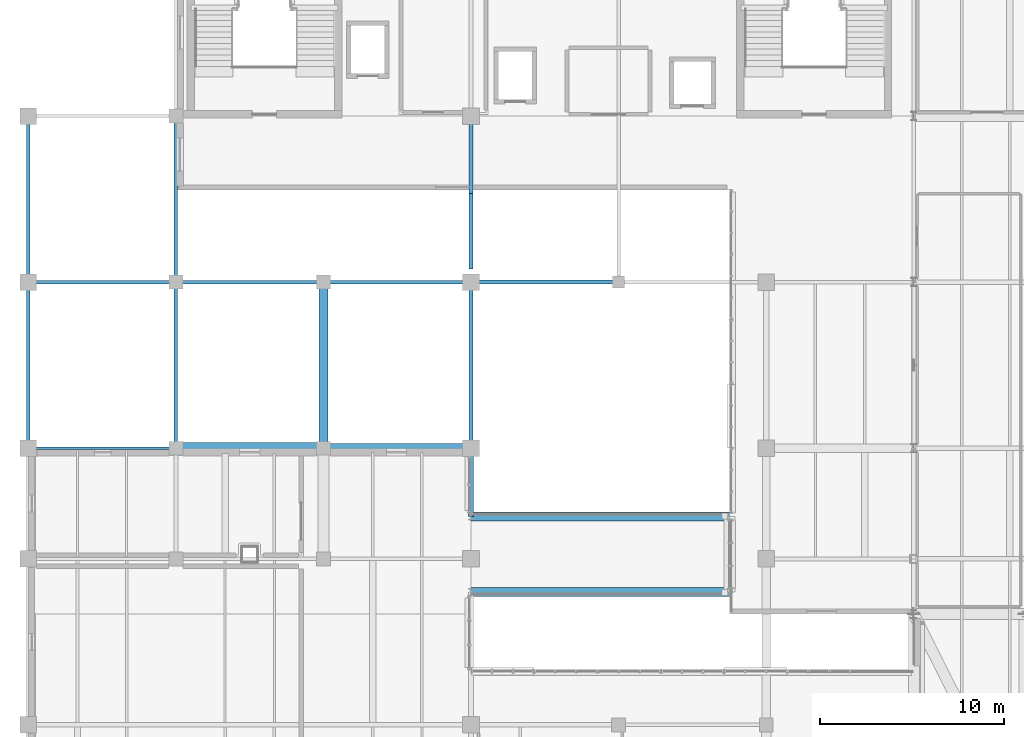
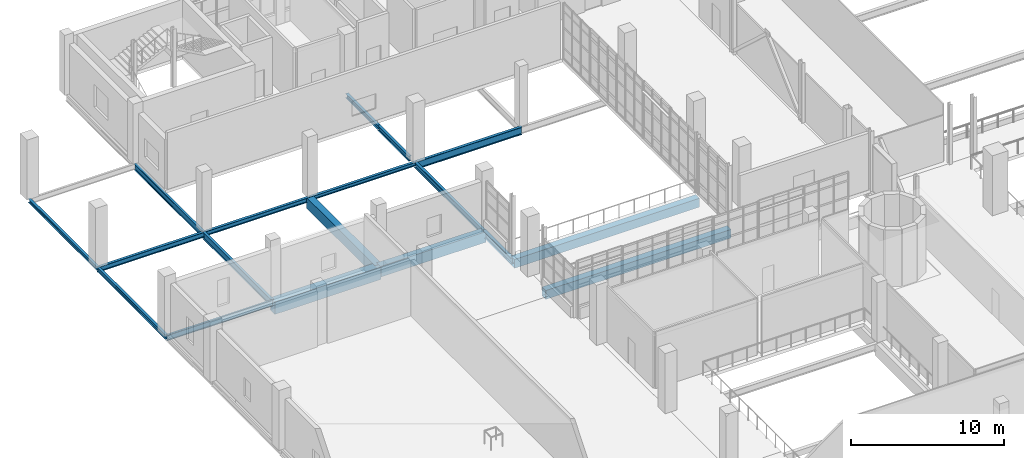
# One storey, part 24 of 100: 18 beams.
"""IFC4 building model written with IfcOpenShell, lengths in metres."""

from ifc_helpers import new_model, si_unit, derived_unit, direction, frame, origin, origin_2d, place, context, subcontext, project, spatial, rectangle, hollow_rectangle, i_section, extrude, material, material_profile, profile_set, type_object, element, save


model = new_model("IFC4")

# Units and contexts
model_context = context("Model", 3, precision=1e-05, world=origin(), true_north=direction((0.0, 1.0)))
body_context = subcontext(model_context, "Body", "Model", "MODEL_VIEW")
ifc_project = project(units=[si_unit("LENGTHUNIT", "METRE"), si_unit("AREAUNIT", "SQUARE_METRE"), si_unit("VOLUMEUNIT", "CUBIC_METRE"), si_unit("PLANEANGLEUNIT", "RADIAN"), si_unit("MASSUNIT", "GRAM", prefix="KILO"), derived_unit("THERMALTRANSMITTANCEUNIT", [(si_unit("POWERUNIT", "WATT"), 1), (si_unit("LENGTHUNIT", "METRE"), -2), (si_unit("THERMODYNAMICTEMPERATUREUNIT", "KELVIN"), -1)])], contexts=[model_context])

# Site, building, storey
site_placement = place(None, origin())
site = spatial("IfcSite", under=ifc_project, at=site_placement, CompositionType="ELEMENT")
building_placement = place(site_placement, origin())
building = spatial("IfcBuilding", under=site, at=building_placement, Name="Nallur Shell Playhouse", CompositionType="ELEMENT")
storey_placement = place(building_placement, frame((0.0, 0.0, 10.199951171875)))
storey = spatial("IfcBuildingStorey", under=building, at=storey_placement, Name="L03", CompositionType="ELEMENT", Elevation=10.199951171875)

# Beams
ifc_material_1 = material(Name="Steel E350", Category="steel")
ifc_material_profile_1 = material_profile(ifc_material_1, hollow_rectangle(XDim=0.5, YDim=0.699951171875, WallThickness=0.02197265625, at=origin_2d()), Name="BOX 500x700x22")
ifc_profile_set_1 = profile_set([ifc_material_profile_1], Name="Steel E350")
beam_type_1 = type_object("IfcBeamType", Name="BM-BRIDGE-BOX", PredefinedType="BEAM", material=ifc_profile_set_1)
for number, where, z_axis, x_axis, name in (
    (1, (40.0, 48.199951171875, -0.60986328125), (1.0, 0.0, 0.0), (0.0, 1.0, 0.0), "Courtyard bridge box girder 05"),
    (2, (40.0, 52.300048828125, -0.60986328125), (1.0, 0.0, 0.0), (0.0, 1.0, 0.0), "Courtyard bridge box girder 06"),
):
    element("IfcBeam", number, at=place(storey_placement, frame(where, z_axis=z_axis, x_axis=x_axis)), inside=storey, type_object=beam_type_1, Name=name, PredefinedType="BEAM", context=body_context, shape_type="SweptSolid", body=[
        extrude(hollow_rectangle(XDim=0.5, YDim=0.699951171875, WallThickness=0.02197265625, at=origin_2d()), origin(), (0.0, 0.0, 1.0), 14.0),
    ])
ifc_material_2 = material(Name="Concrete M40", Category="concrete")
ifc_material_profile_2 = material_profile(ifc_material_2, rectangle(XDim=0.5, YDim=0.85009765625, at=origin_2d()), Name="RC 500x850")
ifc_profile_set_2 = profile_set([ifc_material_profile_2], Name="Concrete M40")
beam_type_2 = type_object("IfcBeamType", Name="BM-RC-500x850", PredefinedType="BEAM", material=ifc_profile_set_2)
beam_1_placement = place(storey_placement, frame((32.0, 56.0, -0.68505859375), z_axis=(1.0, 0.0, 0.0), x_axis=(0.0, 1.0, 0.0)))
element("IfcBeam", 3, at=beam_1_placement, inside=storey, type_object=beam_type_2, Name="L03 girder X-G-605", PredefinedType="BEAM", context=body_context, shape_type="SweptSolid", body=[
    extrude(rectangle(XDim=0.5, YDim=0.85009765625, at=origin_2d()), origin(), (0.0, 0.0, 1.0), 8.0),
])
beam_2_placement = place(storey_placement, frame((32.0, 56.0, -0.68505859375), z_axis=(0.0, 1.0, 0.0), x_axis=(-1.0, 0.0, 0.0)))
element("IfcBeam", 4, at=beam_2_placement, inside=storey, type_object=beam_type_2, Name="L03 girder Y-4-637", PredefinedType="BEAM", context=body_context, shape_type="SweptSolid", body=[
    extrude(rectangle(XDim=0.5, YDim=0.85009765625, at=origin_2d()), origin(), (0.0, 0.0, 1.0), 9.0),
])
ifc_material_profile_3 = material_profile(ifc_material_2, rectangle(XDim=0.60009765625, YDim=1.0, at=origin_2d()), Name="RC 600x1000")
ifc_profile_set_3 = profile_set([ifc_material_profile_3], Name="Concrete M40")
beam_type_3 = type_object("IfcBeamType", Name="BM-RC-600x1000", PredefinedType="BEAM", material=ifc_profile_set_3)
beam_3_placement = place(storey_placement, frame((24.0, 56.0, -0.760009765625), z_axis=(1.0, 0.0, 0.0), x_axis=(0.0, 1.0, 0.0)))
element("IfcBeam", 5, at=beam_3_placement, inside=storey, type_object=beam_type_3, Name="L03 girder X-G-604", PredefinedType="BEAM", context=body_context, shape_type="SweptSolid", body=[
    extrude(rectangle(XDim=0.60009765625, YDim=1.0, at=origin_2d()), origin(), (0.0, 0.0, 1.0), 8.0),
])
ifc_material_profile_4 = material_profile(ifc_material_1, i_section(OverallWidth=0.14990234375, OverallDepth=0.449951171875, WebThickness=0.009521484375, FlangeThickness=0.017333984375, FilletRadius=0.014892578125, at=origin_2d()), Name="ISMB 450")
ifc_profile_set_4 = profile_set([ifc_material_profile_4], Name="Steel E350")
beam_type_4 = type_object("IfcBeamType", Name="BM-ST-ISMB450", PredefinedType="BEAM", material=ifc_profile_set_4)
beam_4_placement = place(storey_placement, frame((16.0, 56.0, -0.48486328125), z_axis=(1.0, 0.0, 0.0), x_axis=(0.0, 1.0, 0.0)))
element("IfcBeam", 6, at=beam_4_placement, inside=storey, type_object=beam_type_4, Name="L03 girder X-G-603", PredefinedType="BEAM", context=body_context, shape_type="SweptSolid", body=[
    extrude(i_section(OverallWidth=0.14990234375, OverallDepth=0.449951171875, WebThickness=0.009521484375, FlangeThickness=0.017333984375, FilletRadius=0.014892578125, at=origin_2d()), origin(), (0.0, 0.0, 1.0), 8.0),
])
ifc_material_profile_5 = material_profile(ifc_material_1, i_section(OverallWidth=0.179931640625, OverallDepth=0.5, WebThickness=0.01025390625, FlangeThickness=0.01708984375, FilletRadius=0.01708984375, at=origin_2d()), Name="ISMB 500")
ifc_profile_set_5 = profile_set([ifc_material_profile_5], Name="Steel E350")
beam_type_5 = type_object("IfcBeamType", Name="BM-ST-ISMB500", PredefinedType="BEAM", material=ifc_profile_set_5)
beam_5_placement = place(storey_placement, frame((24.0, 65.0, -0.510009765625), z_axis=(0.0, 1.0, 0.0), x_axis=(-1.0, 0.0, 0.0)))
element("IfcBeam", 7, at=beam_5_placement, inside=storey, type_object=beam_type_5, Name="L03 girder Y-3-634", PredefinedType="BEAM", context=body_context, shape_type="SweptSolid", body=[
    extrude(i_section(OverallWidth=0.179931640625, OverallDepth=0.5, WebThickness=0.01025390625, FlangeThickness=0.01708984375, FilletRadius=0.01708984375, at=origin_2d()), origin(), (0.0, 0.0, 1.0), 9.0),
])
ifc_material_profile_6 = material_profile(ifc_material_1, i_section(OverallWidth=0.18994140625, OverallDepth=0.550048828125, WebThickness=0.01123046875, FlangeThickness=0.019287109375, FilletRadius=0.01806640625, at=origin_2d()), Name="ISMB 550")
ifc_profile_set_6 = profile_set([ifc_material_profile_6], Name="Steel E350")
beam_type_6 = type_object("IfcBeamType", Name="BM-ST-ISMB550", PredefinedType="BEAM", material=ifc_profile_set_6)
beam_6_placement = place(storey_placement, frame((24.0, 56.0, -0.534912109375), z_axis=(0.0, 1.0, 0.0), x_axis=(-1.0, 0.0, 0.0)))
element("IfcBeam", 8, at=beam_6_placement, inside=storey, type_object=beam_type_6, Name="L03 girder Y-3-633", PredefinedType="BEAM", context=body_context, shape_type="SweptSolid", body=[
    extrude(i_section(OverallWidth=0.18994140625, OverallDepth=0.550048828125, WebThickness=0.01123046875, FlangeThickness=0.019287109375, FilletRadius=0.01806640625, at=origin_2d()), origin(), (0.0, 0.0, 1.0), 9.0),
])
ifc_material_profile_7 = material_profile(ifc_material_1, i_section(OverallWidth=0.2099609375, OverallDepth=0.60009765625, WebThickness=0.011962890625, FlangeThickness=0.020751953125, FilletRadius=0.02001953125, at=origin_2d()), Name="ISMB 600")
ifc_profile_set_7 = profile_set([ifc_material_profile_7], Name="Steel E350")
beam_type_7 = type_object("IfcBeamType", Name="BM-ST-ISMB600", PredefinedType="BEAM", material=ifc_profile_set_7)
beam_7_placement = place(storey_placement, frame((40.0, 65.0, -0.56005859375), z_axis=(1.0, 0.0, 0.0), x_axis=(0.0, 1.0, 0.0)))
element("IfcBeam", 9, at=beam_7_placement, inside=storey, type_object=beam_type_7, Name="L03 girder X-H-616", PredefinedType="BEAM", context=body_context, shape_type="SweptSolid", body=[
    extrude(i_section(OverallWidth=0.2099609375, OverallDepth=0.60009765625, WebThickness=0.011962890625, FlangeThickness=0.020751953125, FilletRadius=0.02001953125, at=origin_2d()), origin(), (0.0, 0.0, 1.0), 8.0),
])
ifc_material_3 = material(Name="Steel E250", Category="steel")
ifc_material_profile_8 = material_profile(ifc_material_3, i_section(OverallWidth=0.199951171875, OverallDepth=0.300048828125, WebThickness=0.00732421875, FlangeThickness=0.010009765625, FilletRadius=0.010986328125, at=origin_2d()), Name="ISWB 300")
ifc_profile_set_8 = profile_set([ifc_material_profile_8], Name="Steel E250")
beam_type_8 = type_object("IfcBeamType", Name="BM-ST-ISWB300", PredefinedType="BEAM", material=ifc_profile_set_8)
beam_8_placement = place(storey_placement, frame((32.0, 65.0, -0.409912109375), z_axis=(1.0, 0.0, 0.0), x_axis=(0.0, 1.0, 0.0)))
element("IfcBeam", 10, at=beam_8_placement, inside=storey, type_object=beam_type_8, Name="L03 girder X-H-615", PredefinedType="BEAM", context=body_context, shape_type="SweptSolid", body=[
    extrude(i_section(OverallWidth=0.199951171875, OverallDepth=0.300048828125, WebThickness=0.00732421875, FlangeThickness=0.010009765625, FilletRadius=0.010986328125, at=origin_2d()), origin(), (0.0, 0.0, 1.0), 8.0),
])
beam_9_placement = place(storey_placement, frame((16.0, 65.0, -0.409912109375), z_axis=(0.0, 1.0, 0.0), x_axis=(-1.0, 0.0, 0.0)))
element("IfcBeam", 11, at=beam_9_placement, inside=storey, type_object=beam_type_8, Name="L03 girder Y-2-631", PredefinedType="BEAM", context=body_context, shape_type="SweptSolid", body=[
    extrude(i_section(OverallWidth=0.199951171875, OverallDepth=0.300048828125, WebThickness=0.00732421875, FlangeThickness=0.010009765625, FilletRadius=0.010986328125, at=origin_2d()), origin(), (0.0, 0.0, 1.0), 9.0),
])
ifc_material_profile_9 = material_profile(ifc_material_1, i_section(OverallWidth=0.199951171875, OverallDepth=0.35009765625, WebThickness=0.008056640625, FlangeThickness=0.011474609375, FilletRadius=0.011962890625, at=origin_2d()), Name="ISWB 350")
ifc_profile_set_9 = profile_set([ifc_material_profile_9], Name="Steel E350")
beam_type_9 = type_object("IfcBeamType", Name="BM-ST-ISWB350", PredefinedType="BEAM", material=ifc_profile_set_9)
beam_10_placement = place(storey_placement, frame((24.0, 65.0, -0.43505859375), z_axis=(1.0, 0.0, 0.0), x_axis=(0.0, 1.0, 0.0)))
element("IfcBeam", 12, at=beam_10_placement, inside=storey, type_object=beam_type_9, Name="L03 girder X-H-614", PredefinedType="BEAM", context=body_context, shape_type="SweptSolid", body=[
    extrude(i_section(OverallWidth=0.199951171875, OverallDepth=0.35009765625, WebThickness=0.008056640625, FlangeThickness=0.011474609375, FilletRadius=0.011962890625, at=origin_2d()), origin(), (0.0, 0.0, 1.0), 8.0),
])
beam_11_placement = place(storey_placement, frame((16.0, 56.0, -0.43505859375), z_axis=(0.0, 1.0, 0.0), x_axis=(-1.0, 0.0, 0.0)))
element("IfcBeam", 13, at=beam_11_placement, inside=storey, type_object=beam_type_9, Name="L03 girder Y-2-630", PredefinedType="BEAM", context=body_context, shape_type="SweptSolid", body=[
    extrude(i_section(OverallWidth=0.199951171875, OverallDepth=0.35009765625, WebThickness=0.008056640625, FlangeThickness=0.011474609375, FilletRadius=0.011962890625, at=origin_2d()), origin(), (0.0, 0.0, 1.0), 9.0),
])
beam_12_placement = place(storey_placement, frame((40.0, 69.800048828125, -0.43505859375), z_axis=(0.0, 1.0, 0.0), x_axis=(-1.0, 0.0, 0.0)))
element("IfcBeam", 14, at=beam_12_placement, inside=storey, type_object=beam_type_9, Name="L03 girder Y-5-646", PredefinedType="BEAM", context=body_context, shape_type="SweptSolid", body=[
    extrude(i_section(OverallWidth=0.199951171875, OverallDepth=0.35009765625, WebThickness=0.008056640625, FlangeThickness=0.011474609375, FilletRadius=0.011962890625, at=origin_2d()), origin(), (0.0, 0.0, 1.0), 4.199951171875),
])
ifc_material_profile_10 = material_profile(ifc_material_1, i_section(OverallWidth=0.199951171875, OverallDepth=0.39990234375, WebThickness=0.008544921875, FlangeThickness=0.012939453125, FilletRadius=0.012939453125, at=origin_2d()), Name="ISWB 400")
ifc_profile_set_10 = profile_set([ifc_material_profile_10], Name="Steel E350")
beam_type_10 = type_object("IfcBeamType", Name="BM-ST-ISWB400", PredefinedType="BEAM", material=ifc_profile_set_10)
beam_13_placement = place(storey_placement, frame((16.0, 65.0, -0.4599609375), z_axis=(1.0, 0.0, 0.0), x_axis=(0.0, 1.0, 0.0)))
element("IfcBeam", 15, at=beam_13_placement, inside=storey, type_object=beam_type_10, Name="L03 girder X-H-613", PredefinedType="BEAM", context=body_context, shape_type="SweptSolid", body=[
    extrude(i_section(OverallWidth=0.199951171875, OverallDepth=0.39990234375, WebThickness=0.008544921875, FlangeThickness=0.012939453125, FilletRadius=0.012939453125, at=origin_2d()), origin(), (0.0, 0.0, 1.0), 8.0),
])
beam_14_placement = place(storey_placement, frame((40.0, 65.699951171875, -0.4599609375), z_axis=(0.0, 1.0, 0.0), x_axis=(-1.0, 0.0, 0.0)))
element("IfcBeam", 16, at=beam_14_placement, inside=storey, type_object=beam_type_10, Name="L03 girder Y-5-645", PredefinedType="BEAM", context=body_context, shape_type="SweptSolid", body=[
    extrude(i_section(OverallWidth=0.199951171875, OverallDepth=0.39990234375, WebThickness=0.008544921875, FlangeThickness=0.012939453125, FilletRadius=0.012939453125, at=origin_2d()), origin(), (0.0, 0.0, 1.0), 4.10009765625),
])
ifc_material_profile_11 = material_profile(ifc_material_1, i_section(OverallWidth=0.199951171875, OverallDepth=0.449951171875, WebThickness=0.00927734375, FlangeThickness=0.015380859375, FilletRadius=0.013916015625, at=origin_2d()), Name="ISWB 450")
ifc_profile_set_11 = profile_set([ifc_material_profile_11], Name="Steel E350")
beam_type_11 = type_object("IfcBeamType", Name="BM-ST-ISWB450", PredefinedType="BEAM", material=ifc_profile_set_11)
beam_15_placement = place(storey_placement, frame((40.0, 56.0, -0.48486328125), z_axis=(0.0, 1.0, 0.0), x_axis=(-1.0, 0.0, 0.0)))
element("IfcBeam", 17, at=beam_15_placement, inside=storey, type_object=beam_type_11, Name="L03 girder Y-5-644", PredefinedType="BEAM", context=body_context, shape_type="SweptSolid", body=[
    extrude(i_section(OverallWidth=0.199951171875, OverallDepth=0.449951171875, WebThickness=0.00927734375, FlangeThickness=0.015380859375, FilletRadius=0.013916015625, at=origin_2d()), origin(), (0.0, 0.0, 1.0), 9.0),
])
ifc_material_profile_12 = material_profile(ifc_material_1, i_section(OverallWidth=0.25, OverallDepth=0.5, WebThickness=0.010009765625, FlangeThickness=0.0146484375, FilletRadius=0.014892578125, at=origin_2d()), Name="ISWB 500")
ifc_profile_set_12 = profile_set([ifc_material_profile_12], Name="Steel E350")
beam_type_12 = type_object("IfcBeamType", Name="BM-ST-ISWB500", PredefinedType="BEAM", material=ifc_profile_set_12)
beam_16_placement = place(storey_placement, frame((40.0, 52.300048828125, -0.510009765625), z_axis=(0.0, 1.0, 0.0), x_axis=(-1.0, 0.0, 0.0)))
element("IfcBeam", 18, at=beam_16_placement, inside=storey, type_object=beam_type_12, Name="L03 girder Y-5-643", PredefinedType="BEAM", context=body_context, shape_type="SweptSolid", body=[
    extrude(i_section(OverallWidth=0.25, OverallDepth=0.5, WebThickness=0.010009765625, FlangeThickness=0.0146484375, FilletRadius=0.014892578125, at=origin_2d()), origin(), (0.0, 0.0, 1.0), 3.699951171875),
])

save(model, "model.ifc")
